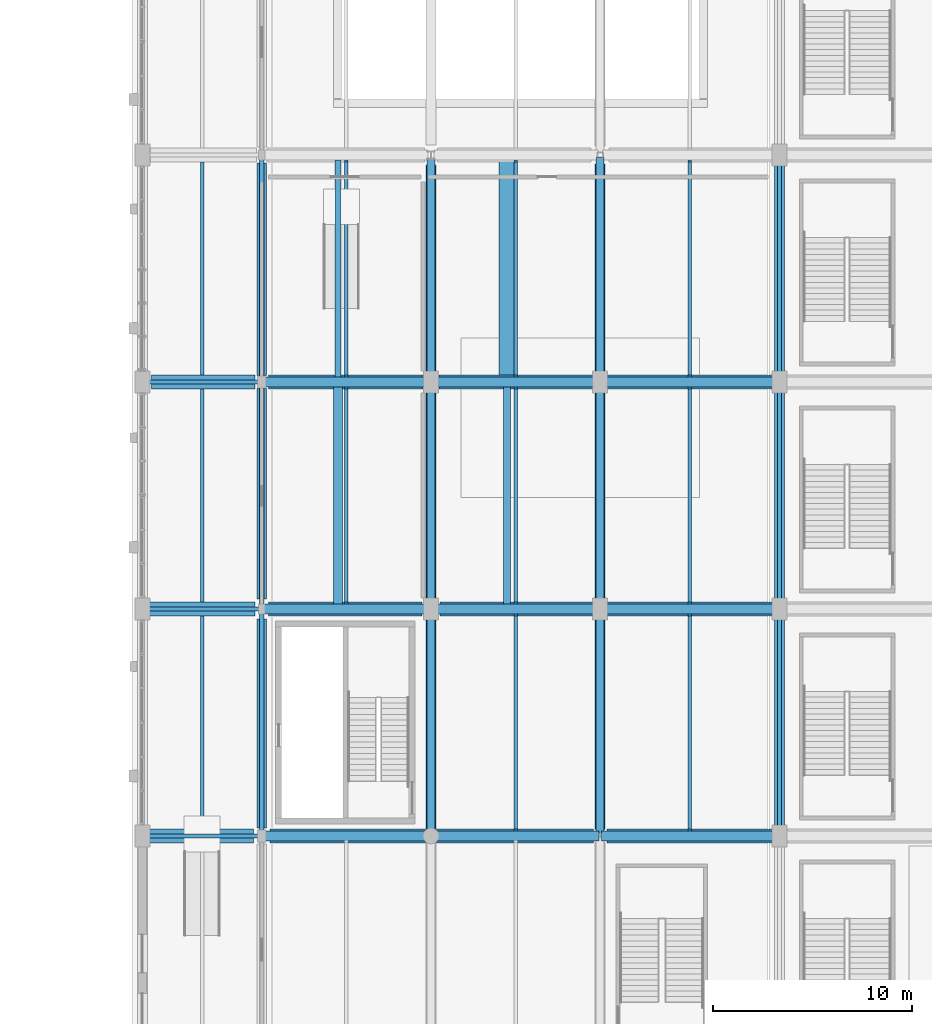
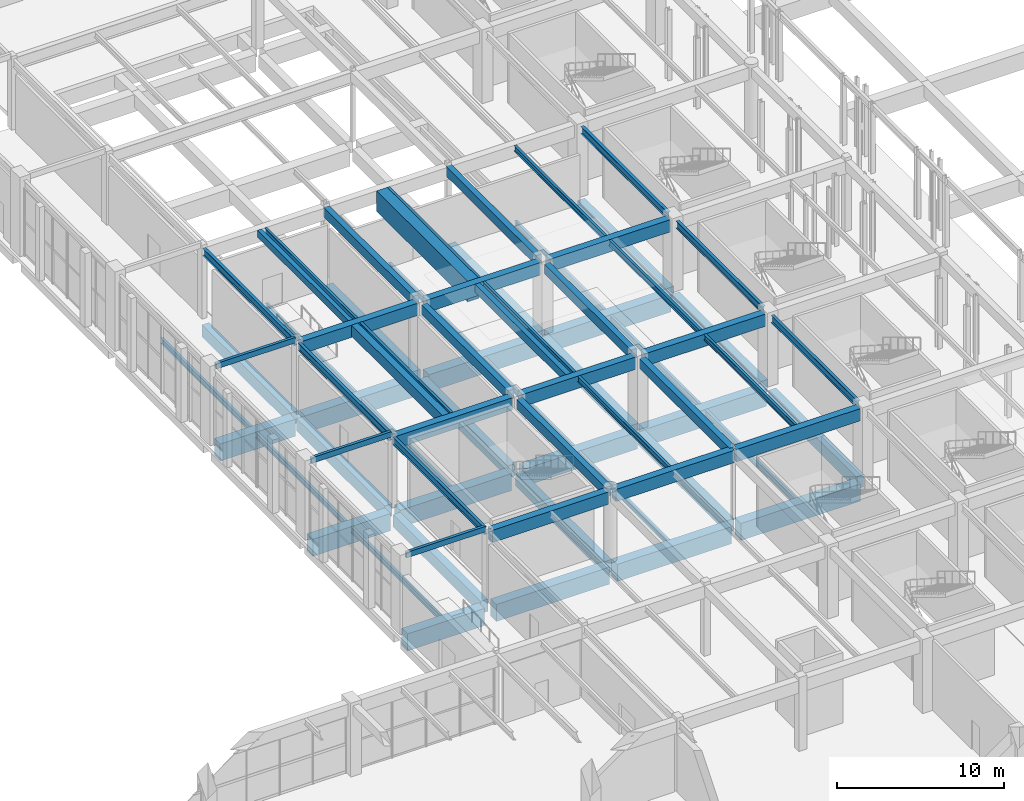
# One storey, part 47 of 113: 71 beams.
"""IFC4 building model written with IfcOpenShell, lengths in metres."""

import ifcopenshell
import ifcopenshell.guid

model = None  # the IFC model being written
_history = None  # IfcOwnerHistory: only IFC2X3 demands one
_inside = {}  # id of a spatial element -> (the spatial element, [elements in it])
_under = {}  # id of a project, library or spatial element -> (it, [spatial elements below it])
_declared = {}  # id of a project -> (the project, [libraries it declares])
_typed = {}  # id of a type object -> (the type object, [elements of that type])
_made_of = {}  # id of a material, layer set ... -> (it, [elements and type objects made of it])


def new_model(schema):
    """Start an empty IFC model of exactly this schema.

    Asked for "IFC4X3", IfcOpenShell would pick the latest addendum, in which some entities
    have other attributes; the version numbers below select the first issue.
    IFC2X3 requires an IfcOwnerHistory on every rooted entity: one is made here for all.
    """
    global model, _history
    if schema == "IFC4X3":
        model = ifcopenshell.file(schema_version=(4, 3, 0, 0))
    else:
        model = ifcopenshell.file(schema=schema)
    _inside.clear()
    _under.clear()
    _declared.clear()
    _typed.clear()
    _made_of.clear()
    _history = None
    if model.schema == "IFC2X3":
        org = make("IfcOrganization", Name="unknown")
        user = make(
            "IfcPersonAndOrganization",
            ThePerson=make("IfcPerson", FamilyName="unknown"),
            TheOrganization=org,
        )
        app = make(
            "IfcApplication",
            ApplicationDeveloper=org,
            Version="unknown",
            ApplicationFullName="unknown",
            ApplicationIdentifier="unknown",
        )
        _history = make(
            "IfcOwnerHistory",
            OwningUser=user,
            OwningApplication=app,
            ChangeAction="ADDED",
            CreationDate=0,
        )
    return model


def make(cls, **values):
    """One entity of the class cls with the attributes given. An attribute that is None is left unset."""
    return model.create_entity(
        cls, **{name: value for name, value in values.items() if value is not None}
    )


def rooted(cls, **values):
    """An entity with a GlobalId (a new one), such as an element, a storey or a relation."""
    return make(cls, GlobalId=ifcopenshell.guid.new(), OwnerHistory=_history, **values)


def si_unit(unit_type, name, prefix=None):
    """IfcSIUnit, for example si_unit("LENGTHUNIT", "METRE", prefix="MILLI")."""
    return make("IfcSIUnit", UnitType=unit_type, Prefix=prefix, Name=name)


def assignment(units):
    """IfcUnitAssignment: the units of a project."""
    return None if units is None else make("IfcUnitAssignment", Units=units)


def point(xyz):
    """IfcCartesianPoint."""
    return None if xyz is None else make("IfcCartesianPoint", Coordinates=xyz)


def direction(xyz):
    """IfcDirection."""
    return None if xyz is None else make("IfcDirection", DirectionRatios=xyz)


def frame(location, z_axis=None, x_axis=None):
    """IfcAxis2Placement3D, a coordinate frame: its origin and axes. An axis left out is left unset."""
    return make(
        "IfcAxis2Placement3D",
        Location=point(location),
        Axis=direction(z_axis),
        RefDirection=direction(x_axis),
    )


def frame_2d(location, x_axis=None):
    """IfcAxis2Placement2D, a coordinate frame in the plane: its origin and x axis."""
    return make(
        "IfcAxis2Placement2D", Location=point(location), RefDirection=direction(x_axis)
    )


def origin():
    """The frame at (0, 0, 0) with its axes left unset."""
    return frame((0.0, 0.0, 0.0))


def origin_2d():
    """The frame at (0, 0) in the plane with its x axis left unset."""
    return frame_2d((0.0, 0.0))


def place(relative_to, where):
    """IfcLocalPlacement: puts the frame where relative to a parent placement (None: the world)."""
    return make(
        "IfcLocalPlacement", PlacementRelTo=relative_to, RelativePlacement=where
    )


def context(
    kind, dimensions, precision=None, world=None, true_north=None, identifier=None
):
    """IfcGeometricRepresentationContext, for example the 3D "Model" context."""
    return make(
        "IfcGeometricRepresentationContext",
        ContextIdentifier=identifier,
        ContextType=kind,
        CoordinateSpaceDimension=dimensions,
        Precision=precision,
        WorldCoordinateSystem=world,
        TrueNorth=true_north,
    )


def subcontext(parent, identifier, kind, view, scale=None):
    """IfcGeometricRepresentationSubContext, for example "Body" below "Model"."""
    return make(
        "IfcGeometricRepresentationSubContext",
        ContextIdentifier=identifier,
        ContextType=kind,
        ParentContext=parent,
        TargetScale=scale,
        TargetView=view,
    )


def project(units=None, contexts=None):
    """IfcProject with its units and contexts."""
    return rooted(
        "IfcProject",
        Name="project",
        RepresentationContexts=contexts,
        UnitsInContext=assignment(units),
    )


def spatial(cls, under=None, at=None, **own):
    """A site, building, storey or space (cls), placed at a placement, below another one or the project."""
    s = rooted(cls, ObjectPlacement=at, **own)
    if under is not None:
        _under.setdefault(under.id(), (under, []))[1].append(s)
    return s


def profile(cls, at=None, kind="AREA", **sizes):
    """A parametric profile (cls). Its sizes go by their IFC names, for example OverallWidth=200.0."""
    return make(cls, ProfileType=kind, Position=at, **sizes)


def rectangle(**sizes):
    """IfcRectangleProfileDef."""
    return profile("IfcRectangleProfileDef", **sizes)


def hollow_rectangle(**sizes):
    """IfcRectangleHollowProfileDef."""
    return profile("IfcRectangleHollowProfileDef", **sizes)


def i_section(**sizes):
    """IfcIShapeProfileDef."""
    return profile("IfcIShapeProfileDef", **sizes)


def extrude(swept, where, along, depth):
    """IfcExtrudedAreaSolid: the profile swept, set in the frame where, extruded along a direction by depth."""
    return make(
        "IfcExtrudedAreaSolid",
        SweptArea=swept,
        Position=where,
        ExtrudedDirection=direction(along),
        Depth=depth,
    )


def shape(context_of_items, identifier, shape_type, items):
    """IfcShapeRepresentation: the items that make up one representation, for example the "Body"."""
    return make(
        "IfcShapeRepresentation",
        ContextOfItems=context_of_items,
        RepresentationIdentifier=identifier,
        RepresentationType=shape_type,
        Items=items,
    )


def material(Name=None, Category=None):
    """IfcMaterial."""
    return make("IfcMaterial", Name=Name, Category=Category)


def material_profile(
    of_material, cross_section, Name=None, Category=None, Priority=None
):
    """IfcMaterialProfile: a cross section and its material."""
    return make(
        "IfcMaterialProfile",
        Name=Name,
        Material=of_material,
        Profile=cross_section,
        Priority=Priority,
        Category=Category,
    )


def profile_set(profiles, Name=None, composite=None):
    """IfcMaterialProfileSet."""
    return make(
        "IfcMaterialProfileSet",
        Name=Name,
        MaterialProfiles=profiles,
        CompositeProfile=composite,
    )


def made_of(thing, what):
    """Note that an element or type object is made of a material, layer set ...; save() writes the relation."""
    if what is not None:
        _made_of.setdefault(what.id(), (what, []))[1].append(thing)
    return thing


def type_object(cls, material=None, **own):
    """A type object (cls), such as IfcWallType, which elements share."""
    return made_of(rooted(cls, **own), material)


def element(
    cls,
    number,
    at=None,
    inside=None,
    cuts=None,
    type_object=None,
    material=None,
    context=None,
    identifier="Body",
    shape_type=None,
    held_by="IfcProductDefinitionShape",
    body=None,
    shapes=None,
    **own,
):
    """One element of the class cls, such as IfcWall. Its Tag is "e" and its number.

    at: its placement. inside: the storey or other place that contains it. cuts: it is an
    opening in that element (IfcRelVoidsElement). A single representation is given by context,
    identifier, shape_type and body (its items); several are given by shapes. held_by: the class
    of the entity that holds the representations. save() writes the other relations.
    """
    e = rooted(cls, Tag="e%d" % number, ObjectPlacement=at, **own)
    if body is not None:
        shapes = [shape(context, identifier, shape_type, body)]
    if shapes is not None:
        e.Representation = make(held_by, Representations=shapes)
    if inside is not None:
        _inside.setdefault(inside.id(), (inside, []))[1].append(e)
    if cuts is not None:
        rooted(
            "IfcRelVoidsElement", RelatingBuildingElement=cuts, RelatedOpeningElement=e
        )
    if type_object is not None:
        _typed.setdefault(type_object.id(), (type_object, []))[1].append(e)
    return made_of(e, material)


def aggregate(whole, parts):
    """IfcRelAggregates: a whole, such as a stair, and the parts it consists of."""
    return rooted("IfcRelAggregates", RelatingObject=whole, RelatedObjects=parts)


def save(model, path):
    """Write the relations noted so far, then the file.

    IfcRelAggregates (storeys below a building ...), IfcRelContainedInSpatialStructure (elements
    in a storey), IfcRelDefinesByType, IfcRelAssociatesMaterial and IfcRelDeclares: one each for
    every whole, place, type object, material and project.
    """
    for whole, parts in _under.values():
        aggregate(whole, parts)
    for where, things in _inside.values():
        rooted(
            "IfcRelContainedInSpatialStructure",
            RelatedElements=things,
            RelatingStructure=where,
        )
    for kind, things in _typed.values():
        rooted("IfcRelDefinesByType", RelatedObjects=things, RelatingType=kind)
    for what, things in _made_of.values():
        rooted("IfcRelAssociatesMaterial", RelatedObjects=things, RelatingMaterial=what)
    for by, libraries in _declared.values():
        rooted("IfcRelDeclares", RelatingContext=by, RelatedDefinitions=libraries)
    model.write(path)


model = new_model("IFC4")

# Units and contexts
model_context = context("Model", 3, precision=1e-05, world=origin(), true_north=direction((0.0, 1.0)))
body_context = subcontext(model_context, "Body", "Model", "MODEL_VIEW")
ifc_project = project(units=[si_unit("LENGTHUNIT", "METRE"), si_unit("AREAUNIT", "SQUARE_METRE"), si_unit("VOLUMEUNIT", "CUBIC_METRE"), si_unit("PLANEANGLEUNIT", "RADIAN"), si_unit("MASSUNIT", "GRAM", prefix="KILO"), si_unit("POWERUNIT", "WATT"), si_unit("THERMODYNAMICTEMPERATUREUNIT", "KELVIN")], contexts=[model_context])

# Site, building, storey
site_placement = place(None, origin())
site = spatial("IfcSite", under=ifc_project, at=site_placement, CompositionType="ELEMENT")
building_placement = place(site_placement, origin())
building = spatial("IfcBuilding", under=site, at=building_placement, Name="Kelmbourne Parkland Aquatics Centre", CompositionType="ELEMENT")
storey_placement = place(building_placement, origin())
storey = spatial("IfcBuildingStorey", under=building, at=storey_placement, Name="L00", CompositionType="ELEMENT", Elevation=0.0)

# Beams
ifc_material_1 = material(Name="Concrete C40/50", Category="concrete")
ifc_material_profile_1 = material_profile(ifc_material_1, rectangle(XDim=0.5, YDim=0.89990234375, at=origin_2d()), Name="RC 500x900")
ifc_profile_set_1 = profile_set([ifc_material_profile_1], Name="Concrete C40/50")
beam_type_1 = type_object("IfcBeamType", Name="BM-G03", PredefinedType="BEAM", material=ifc_profile_set_1)
beam_1_placement = place(storey_placement, frame((102.0, 35.405029296875, -0.72998046875), z_axis=(0.0, 1.0, 0.0), x_axis=(-1.0, 0.0, 0.0)))
element("IfcBeam", 1, at=beam_1_placement, inside=storey, type_object=beam_type_1, Name="Primary girder 05-06 Grid M (L00)", PredefinedType="BEAM", context=body_context, shape_type="SweptSolid", body=[
    extrude(rectangle(XDim=0.5, YDim=0.89990234375, at=origin_2d()), origin(), (0.0, 0.0, 1.0), 10.489990234375),
])
beam_2_placement = place(storey_placement, frame((102.0, 46.905029296875, -0.72998046875), z_axis=(0.0, 1.0, 0.0), x_axis=(-1.0, 0.0, 0.0)))
element("IfcBeam", 2, at=beam_2_placement, inside=storey, type_object=beam_type_1, Name="Primary girder 06-08 Grid M (L00)", PredefinedType="BEAM", context=body_context, shape_type="SweptSolid", body=[
    extrude(rectangle(XDim=0.5, YDim=0.89990234375, at=origin_2d()), origin(), (0.0, 0.0, 1.0), 10.56494140625),
])
for number, where, z_axis, x_axis, name in (
    (3, (102.0, 58.1298828125, -0.72998046875), (0.0, 1.0, 0.0), (-1.0, 0.0, 0.0), "Primary girder 08-10 Grid M (L00)"),
    (4, (110.5, 35.280029296875, -0.72998046875), (0.0, 1.0, 0.0), (-1.0, 0.0, 0.0), "Primary girder 05-06 Grid N (L00)"),
):
    element("IfcBeam", number, at=place(storey_placement, frame(where, z_axis=z_axis, x_axis=x_axis)), inside=storey, type_object=beam_type_1, Name=name, PredefinedType="BEAM", context=body_context, shape_type="SweptSolid", body=[
        extrude(rectangle(XDim=0.5, YDim=0.89990234375, at=origin_2d()), origin(), (0.0, 0.0, 1.0), 10.6650390625),
    ])
beam_3_placement = place(storey_placement, frame((110.5, 46.85498046875, -0.72998046875), z_axis=(0.0, 1.0, 0.0), x_axis=(-1.0, 0.0, 0.0)))
element("IfcBeam", 5, at=beam_3_placement, inside=storey, type_object=beam_type_1, Name="Primary girder 06-08 Grid N (L00)", PredefinedType="BEAM", context=body_context, shape_type="SweptSolid", body=[
    extrude(rectangle(XDim=0.5, YDim=0.89990234375, at=origin_2d()), origin(), (0.0, 0.0, 1.0), 10.5400390625),
])
beam_4_placement = place(storey_placement, frame((110.5, 58.205078125, -0.72998046875), z_axis=(0.0, 1.0, 0.0), x_axis=(-1.0, 0.0, 0.0)))
element("IfcBeam", 6, at=beam_4_placement, inside=storey, type_object=beam_type_1, Name="Primary girder 08-10 Grid N (L00)", PredefinedType="BEAM", context=body_context, shape_type="SweptSolid", body=[
    extrude(rectangle(XDim=0.5, YDim=0.89990234375, at=origin_2d()), origin(), (0.0, 0.0, 1.0), 10.489990234375),
])
beam_5_placement = place(storey_placement, frame((119.0, 35.330078125, -0.72998046875), z_axis=(0.0, 1.0, 0.0), x_axis=(-1.0, 0.0, 0.0)))
element("IfcBeam", 7, at=beam_5_placement, inside=storey, type_object=beam_type_1, Name="Primary girder 05-06 Grid O (L00)", PredefinedType="BEAM", context=body_context, shape_type="SweptSolid", body=[
    extrude(rectangle(XDim=0.5, YDim=0.89990234375, at=origin_2d()), origin(), (0.0, 0.0, 1.0), 10.6650390625),
])
beam_6_placement = place(storey_placement, frame((119.0, 46.804931640625, -0.72998046875), z_axis=(0.0, 1.0, 0.0), x_axis=(-1.0, 0.0, 0.0)))
element("IfcBeam", 8, at=beam_6_placement, inside=storey, type_object=beam_type_1, Name="Primary girder 06-08 Grid O (L00)", PredefinedType="BEAM", context=body_context, shape_type="SweptSolid", body=[
    extrude(rectangle(XDim=0.5, YDim=0.89990234375, at=origin_2d()), origin(), (0.0, 0.0, 1.0), 10.715087890625),
])
beam_7_placement = place(storey_placement, frame((119.0, 58.080078125, -0.72998046875), z_axis=(0.0, 1.0, 0.0), x_axis=(-1.0, 0.0, 0.0)))
element("IfcBeam", 9, at=beam_7_placement, inside=storey, type_object=beam_type_1, Name="Primary girder 08-10 Grid O (L00)", PredefinedType="BEAM", context=body_context, shape_type="SweptSolid", body=[
    extrude(rectangle(XDim=0.5, YDim=0.89990234375, at=origin_2d()), origin(), (0.0, 0.0, 1.0), 10.6650390625),
])
beam_8_placement = place(storey_placement, frame((128.0, 35.405029296875, -0.72998046875), z_axis=(0.0, 1.0, 0.0), x_axis=(-1.0, 0.0, 0.0)))
element("IfcBeam", 10, at=beam_8_placement, inside=storey, type_object=beam_type_1, Name="Primary girder 05-06 Grid P (L00)", PredefinedType="BEAM", context=body_context, shape_type="SweptSolid", body=[
    extrude(rectangle(XDim=0.5, YDim=0.89990234375, at=origin_2d()), origin(), (0.0, 0.0, 1.0), 10.489990234375),
])
beam_9_placement = place(storey_placement, frame((128.0, 46.905029296875, -0.72998046875), z_axis=(0.0, 1.0, 0.0), x_axis=(-1.0, 0.0, 0.0)))
element("IfcBeam", 11, at=beam_9_placement, inside=storey, type_object=beam_type_1, Name="Primary girder 06-08 Grid P (L00)", PredefinedType="BEAM", context=body_context, shape_type="SweptSolid", body=[
    extrude(rectangle(XDim=0.5, YDim=0.89990234375, at=origin_2d()), origin(), (0.0, 0.0, 1.0), 10.56494140625),
])
beam_10_placement = place(storey_placement, frame((128.0, 58.1298828125, -0.72998046875), z_axis=(0.0, 1.0, 0.0), x_axis=(-1.0, 0.0, 0.0)))
element("IfcBeam", 12, at=beam_10_placement, inside=storey, type_object=beam_type_1, Name="Primary girder 08-10 Grid P (L00)", PredefinedType="BEAM", context=body_context, shape_type="SweptSolid", body=[
    extrude(rectangle(XDim=0.5, YDim=0.89990234375, at=origin_2d()), origin(), (0.0, 0.0, 1.0), 10.6650390625),
])
beam_11_placement = place(storey_placement, frame((102.179931640625, 35.0, 4.7099609375), z_axis=(1.0, 0.0, 0.0), x_axis=(0.0, 1.0, 0.0)))
element("IfcBeam", 13, at=beam_11_placement, inside=storey, type_object=beam_type_1, Name="Primary girder M-N Grid 05 (L01)", PredefinedType="BEAM", context=body_context, shape_type="SweptSolid", body=[
    extrude(rectangle(XDim=0.5, YDim=0.89990234375, at=origin_2d()), origin(), (0.0, 0.0, 1.0), 8.0771484375),
])
beam_12_placement = place(storey_placement, frame((110.742919921875, 35.0, 4.7099609375), z_axis=(1.0, 0.0, 0.0), x_axis=(0.0, 1.0, 0.0)))
element("IfcBeam", 14, at=beam_12_placement, inside=storey, type_object=beam_type_1, Name="Primary girder N-O Grid 05 (L01)", PredefinedType="BEAM", context=body_context, shape_type="SweptSolid", body=[
    extrude(rectangle(XDim=0.5, YDim=0.89990234375, at=origin_2d()), origin(), (0.0, 0.0, 1.0), 8.199462890625),
])
beam_13_placement = place(storey_placement, frame((119.0576171875, 35.0, 4.7099609375), z_axis=(1.0, 0.0, 0.0), x_axis=(0.0, 1.0, 0.0)))
element("IfcBeam", 15, at=beam_13_placement, inside=storey, type_object=beam_type_1, Name="Primary girder O-P Grid 05 (L01)", PredefinedType="BEAM", context=body_context, shape_type="SweptSolid", body=[
    extrude(rectangle(XDim=0.5, YDim=0.89990234375, at=origin_2d()), origin(), (0.0, 0.0, 1.0), 8.6123046875),
])
beam_14_placement = place(storey_placement, frame((102.1298828125, 46.39990234375, 4.7099609375), z_axis=(1.0, 0.0, 0.0), x_axis=(0.0, 1.0, 0.0)))
element("IfcBeam", 16, at=beam_14_placement, inside=storey, type_object=beam_type_1, Name="Primary girder M-N Grid 06 (L01)", PredefinedType="BEAM", context=body_context, shape_type="SweptSolid", body=[
    extrude(rectangle(XDim=0.5, YDim=0.89990234375, at=origin_2d()), origin(), (0.0, 0.0, 1.0), 8.0400390625),
])
beam_15_placement = place(storey_placement, frame((110.830078125, 46.39990234375, 4.7099609375), z_axis=(1.0, 0.0, 0.0), x_axis=(0.0, 1.0, 0.0)))
element("IfcBeam", 17, at=beam_15_placement, inside=storey, type_object=beam_type_1, Name="Primary girder N-O Grid 06 (L01)", PredefinedType="BEAM", context=body_context, shape_type="SweptSolid", body=[
    extrude(rectangle(XDim=0.5, YDim=0.89990234375, at=origin_2d()), origin(), (0.0, 0.0, 1.0), 7.83984375),
])
beam_16_placement = place(storey_placement, frame((119.330078125, 46.39990234375, 4.7099609375), z_axis=(1.0, 0.0, 0.0), x_axis=(0.0, 1.0, 0.0)))
element("IfcBeam", 18, at=beam_16_placement, inside=storey, type_object=beam_type_1, Name="Primary girder O-P Grid 06 (L01)", PredefinedType="BEAM", context=body_context, shape_type="SweptSolid", body=[
    extrude(rectangle(XDim=0.5, YDim=0.89990234375, at=origin_2d()), origin(), (0.0, 0.0, 1.0), 8.33984375),
])
beam_17_placement = place(storey_placement, frame((102.179931640625, 57.800048828125, 4.7099609375), z_axis=(1.0, 0.0, 0.0), x_axis=(0.0, 1.0, 0.0)))
element("IfcBeam", 19, at=beam_17_placement, inside=storey, type_object=beam_type_1, Name="Primary girder M-N Grid 08 (L01)", PredefinedType="BEAM", context=body_context, shape_type="SweptSolid", body=[
    extrude(rectangle(XDim=0.5, YDim=0.89990234375, at=origin_2d()), origin(), (0.0, 0.0, 1.0), 7.989990234375),
])
beam_18_placement = place(storey_placement, frame((110.830078125, 57.800048828125, 4.7099609375), z_axis=(1.0, 0.0, 0.0), x_axis=(0.0, 1.0, 0.0)))
element("IfcBeam", 20, at=beam_18_placement, inside=storey, type_object=beam_type_1, Name="Primary girder N-O Grid 08 (L01)", PredefinedType="BEAM", context=body_context, shape_type="SweptSolid", body=[
    extrude(rectangle(XDim=0.5, YDim=0.89990234375, at=origin_2d()), origin(), (0.0, 0.0, 1.0), 7.83984375),
])
beam_19_placement = place(storey_placement, frame((119.330078125, 57.800048828125, 4.7099609375), z_axis=(1.0, 0.0, 0.0), x_axis=(0.0, 1.0, 0.0)))
element("IfcBeam", 21, at=beam_19_placement, inside=storey, type_object=beam_type_1, Name="Primary girder O-P Grid 08 (L01)", PredefinedType="BEAM", context=body_context, shape_type="SweptSolid", body=[
    extrude(rectangle(XDim=0.5, YDim=0.89990234375, at=origin_2d()), origin(), (0.0, 0.0, 1.0), 8.33984375),
])
ifc_material_profile_2 = material_profile(ifc_material_1, rectangle(XDim=0.449951171875, YDim=0.800048828125, at=origin_2d()), Name="RC 450x800")
ifc_profile_set_2 = profile_set([ifc_material_profile_2], Name="Concrete C40/50")
beam_type_2 = type_object("IfcBeamType", Name="BM-G04", PredefinedType="BEAM", material=ifc_profile_set_2)
beam_20_placement = place(storey_placement, frame((105.824951171875, 46.64208984375, 4.760009765625), z_axis=(0.0, 1.0, 0.0), x_axis=(-1.0, 0.0, 0.0)))
element("IfcBeam", 22, at=beam_20_placement, inside=storey, type_object=beam_type_2, Name="Deck secondary trim beam 19", PredefinedType="BEAM", context=body_context, shape_type="SweptSolid", body=[
    extrude(rectangle(XDim=0.449951171875, YDim=0.800048828125, at=origin_2d()), origin(), (0.0, 0.0, 1.0), 10.916015625),
])
ifc_material_profile_3 = material_profile(ifc_material_1, rectangle(XDim=0.39990234375, YDim=0.699951171875, at=origin_2d()), Name="RC 400x700")
ifc_profile_set_3 = profile_set([ifc_material_profile_3], Name="Concrete C40/50")
beam_type_3 = type_object("IfcBeamType", Name="BM-G05", PredefinedType="BEAM", material=ifc_profile_set_3)
beam_21_placement = place(storey_placement, frame((110.5, 35.242919921875, 4.81005859375), z_axis=(0.0, 1.0, 0.0), x_axis=(-1.0, 0.0, 0.0)))
element("IfcBeam", 23, at=beam_21_placement, inside=storey, type_object=beam_type_3, Name="Primary girder 05-06 Grid N (L01)", PredefinedType="BEAM", context=body_context, shape_type="SweptSolid", body=[
    extrude(rectangle(XDim=0.39990234375, YDim=0.699951171875, at=origin_2d()), origin(), (0.0, 0.0, 1.0), 10.652099609375),
])
beam_22_placement = place(storey_placement, frame((110.5, 46.905029296875, 4.81005859375), z_axis=(0.0, 1.0, 0.0), x_axis=(-1.0, 0.0, 0.0)))
element("IfcBeam", 24, at=beam_22_placement, inside=storey, type_object=beam_type_3, Name="Primary girder 06-08 Grid N (L01)", PredefinedType="BEAM", context=body_context, shape_type="SweptSolid", body=[
    extrude(rectangle(XDim=0.39990234375, YDim=0.699951171875, at=origin_2d()), origin(), (0.0, 0.0, 1.0), 10.389892578125),
])
beam_23_placement = place(storey_placement, frame((110.5, 58.304931640625, 4.81005859375), z_axis=(0.0, 1.0, 0.0), x_axis=(-1.0, 0.0, 0.0)))
element("IfcBeam", 25, at=beam_23_placement, inside=storey, type_object=beam_type_3, Name="Primary girder 08-10 Grid N (L01)", PredefinedType="BEAM", context=body_context, shape_type="SweptSolid", body=[
    extrude(rectangle(XDim=0.39990234375, YDim=0.699951171875, at=origin_2d()), origin(), (0.0, 0.0, 1.0), 10.738037109375),
])
beam_24_placement = place(storey_placement, frame((119.0, 35.06005859375, 4.81005859375), z_axis=(0.0, 1.0, 0.0), x_axis=(-1.0, 0.0, 0.0)))
element("IfcBeam", 26, at=beam_24_placement, inside=storey, type_object=beam_type_3, Name="Primary girder 05-06 Grid O (L01)", PredefinedType="BEAM", context=body_context, shape_type="SweptSolid", body=[
    extrude(rectangle(XDim=0.39990234375, YDim=0.699951171875, at=origin_2d()), origin(), (0.0, 0.0, 1.0), 10.8349609375),
])
beam_25_placement = place(storey_placement, frame((119.0, 46.905029296875, 4.81005859375), z_axis=(0.0, 1.0, 0.0), x_axis=(-1.0, 0.0, 0.0)))
element("IfcBeam", 27, at=beam_25_placement, inside=storey, type_object=beam_type_3, Name="Primary girder 06-08 Grid O (L01)", PredefinedType="BEAM", context=body_context, shape_type="SweptSolid", body=[
    extrude(rectangle(XDim=0.39990234375, YDim=0.699951171875, at=origin_2d()), origin(), (0.0, 0.0, 1.0), 10.389892578125),
])
beam_26_placement = place(storey_placement, frame((119.0, 58.304931640625, 4.81005859375), z_axis=(0.0, 1.0, 0.0), x_axis=(-1.0, 0.0, 0.0)))
element("IfcBeam", 28, at=beam_26_placement, inside=storey, type_object=beam_type_3, Name="Primary girder 08-10 Grid O (L01)", PredefinedType="BEAM", context=body_context, shape_type="SweptSolid", body=[
    extrude(rectangle(XDim=0.39990234375, YDim=0.699951171875, at=origin_2d()), origin(), (0.0, 0.0, 1.0), 10.7900390625),
])
ifc_material_profile_4 = material_profile(ifc_material_1, rectangle(XDim=0.35009765625, YDim=0.60009765625, at=origin_2d()), Name="RC 350x600")
ifc_profile_set_4 = profile_set([ifc_material_profile_4], Name="Concrete C40/50")
beam_type_4 = type_object("IfcBeamType", Name="BM-G06", PredefinedType="BEAM", material=ifc_profile_set_4)
beam_27_placement = place(storey_placement, frame((114.324951171875, 46.64208984375, 4.860107421875), z_axis=(0.0, 1.0, 0.0), x_axis=(-1.0, 0.0, 0.0)))
element("IfcBeam", 29, at=beam_27_placement, inside=storey, type_object=beam_type_4, Name="Deck secondary trim beam 20", PredefinedType="BEAM", context=body_context, shape_type="SweptSolid", body=[
    extrude(rectangle(XDim=0.35009765625, YDim=0.60009765625, at=origin_2d()), origin(), (0.0, 0.0, 1.0), 10.916015625),
])
ifc_material_profile_5 = material_profile(ifc_material_1, rectangle(XDim=0.300048828125, YDim=0.5, at=origin_2d()), Name="RC 300x500")
ifc_profile_set_5 = profile_set([ifc_material_profile_5], Name="Concrete C40/50")
beam_type_5 = type_object("IfcBeamType", Name="BM-G07", PredefinedType="BEAM", material=ifc_profile_set_5)
beam_28_placement = place(storey_placement, frame((105.824951171875, 58.0419921875, 4.909912109375), z_axis=(0.0, 1.0, 0.0), x_axis=(-1.0, 0.0, 0.0)))
element("IfcBeam", 30, at=beam_28_placement, inside=storey, type_object=beam_type_5, Name="Deck secondary trim beam 21", PredefinedType="BEAM", context=body_context, shape_type="SweptSolid", body=[
    extrude(rectangle(XDim=0.300048828125, YDim=0.5, at=origin_2d()), origin(), (0.0, 0.0, 1.0), 10.916015625),
])
ifc_material_2 = material(Name="Concrete C50/60", Category="concrete")
ifc_material_profile_6 = material_profile(ifc_material_2, rectangle(XDim=0.699951171875, YDim=1.25, at=origin_2d()), Name="RC 700x1250")
ifc_profile_set_6 = profile_set([ifc_material_profile_6], Name="Concrete C50/60")
beam_type_6 = type_object("IfcBeamType", Name="BM-G08", PredefinedType="BEAM", material=ifc_profile_set_6)
beam_29_placement = place(storey_placement, frame((96.2548828125, 35.0, -0.905029296875), z_axis=(1.0, 0.0, 0.0), x_axis=(0.0, 1.0, 0.0)))
element("IfcBeam", 31, at=beam_29_placement, inside=storey, type_object=beam_type_6, Name="Primary girder L-M Grid 05 (L00)", PredefinedType="BEAM", context=body_context, shape_type="SweptSolid", body=[
    extrude(rectangle(XDim=0.699951171875, YDim=1.25, at=origin_2d()), origin(), (0.0, 0.0, 1.0), 5.340087890625),
])
beam_30_placement = place(storey_placement, frame((102.405029296875, 35.0, -0.905029296875), z_axis=(1.0, 0.0, 0.0), x_axis=(0.0, 1.0, 0.0)))
element("IfcBeam", 32, at=beam_30_placement, inside=storey, type_object=beam_type_6, Name="Primary girder M-N Grid 05 (L00)", PredefinedType="BEAM", context=body_context, shape_type="SweptSolid", body=[
    extrude(rectangle(XDim=0.699951171875, YDim=1.25, at=origin_2d()), origin(), (0.0, 0.0, 1.0), 7.81494140625),
])
beam_31_placement = place(storey_placement, frame((110.780029296875, 35.0, -0.905029296875), z_axis=(1.0, 0.0, 0.0), x_axis=(0.0, 1.0, 0.0)))
element("IfcBeam", 33, at=beam_31_placement, inside=storey, type_object=beam_type_6, Name="Primary girder N-O Grid 05 (L00)", PredefinedType="BEAM", context=body_context, shape_type="SweptSolid", body=[
    extrude(rectangle(XDim=0.699951171875, YDim=1.25, at=origin_2d()), origin(), (0.0, 0.0, 1.0), 7.889892578125),
])
beam_32_placement = place(storey_placement, frame((119.330078125, 35.0, -0.905029296875), z_axis=(1.0, 0.0, 0.0), x_axis=(0.0, 1.0, 0.0)))
element("IfcBeam", 34, at=beam_32_placement, inside=storey, type_object=beam_type_6, Name="Primary girder O-P Grid 05 (L00)", PredefinedType="BEAM", context=body_context, shape_type="SweptSolid", body=[
    extrude(rectangle(XDim=0.699951171875, YDim=1.25, at=origin_2d()), origin(), (0.0, 0.0, 1.0), 8.264892578125),
])
beam_33_placement = place(storey_placement, frame((96.280029296875, 46.39990234375, -0.905029296875), z_axis=(1.0, 0.0, 0.0), x_axis=(0.0, 1.0, 0.0)))
element("IfcBeam", 35, at=beam_33_placement, inside=storey, type_object=beam_type_6, Name="Primary girder L-M Grid 06 (L00)", PredefinedType="BEAM", context=body_context, shape_type="SweptSolid", body=[
    extrude(rectangle(XDim=0.699951171875, YDim=1.25, at=origin_2d()), origin(), (0.0, 0.0, 1.0), 5.389892578125),
])
beam_34_placement = place(storey_placement, frame((102.330078125, 46.39990234375, -0.905029296875), z_axis=(1.0, 0.0, 0.0), x_axis=(0.0, 1.0, 0.0)))
element("IfcBeam", 36, at=beam_34_placement, inside=storey, type_object=beam_type_6, Name="Primary girder M-N Grid 06 (L00)", PredefinedType="BEAM", context=body_context, shape_type="SweptSolid", body=[
    extrude(rectangle(XDim=0.699951171875, YDim=1.25, at=origin_2d()), origin(), (0.0, 0.0, 1.0), 7.71484375),
])
beam_35_placement = place(storey_placement, frame((110.955078125, 46.39990234375, -0.905029296875), z_axis=(1.0, 0.0, 0.0), x_axis=(0.0, 1.0, 0.0)))
element("IfcBeam", 37, at=beam_35_placement, inside=storey, type_object=beam_type_6, Name="Primary girder N-O Grid 06 (L00)", PredefinedType="BEAM", context=body_context, shape_type="SweptSolid", body=[
    extrude(rectangle(XDim=0.699951171875, YDim=1.25, at=origin_2d()), origin(), (0.0, 0.0, 1.0), 7.7900390625),
])
beam_36_placement = place(storey_placement, frame((119.2548828125, 46.39990234375, -0.905029296875), z_axis=(1.0, 0.0, 0.0), x_axis=(0.0, 1.0, 0.0)))
element("IfcBeam", 38, at=beam_36_placement, inside=storey, type_object=beam_type_6, Name="Primary girder O-P Grid 06 (L00)", PredefinedType="BEAM", context=body_context, shape_type="SweptSolid", body=[
    extrude(rectangle(XDim=0.699951171875, YDim=1.25, at=origin_2d()), origin(), (0.0, 0.0, 1.0), 8.4150390625),
])
beam_37_placement = place(storey_placement, frame((96.455078125, 57.800048828125, -0.905029296875), z_axis=(1.0, 0.0, 0.0), x_axis=(0.0, 1.0, 0.0)))
element("IfcBeam", 39, at=beam_37_placement, inside=storey, type_object=beam_type_6, Name="Primary girder L-M Grid 08 (L00)", PredefinedType="BEAM", context=body_context, shape_type="SweptSolid", body=[
    extrude(rectangle(XDim=0.699951171875, YDim=1.25, at=origin_2d()), origin(), (0.0, 0.0, 1.0), 5.21484375),
])
beam_38_placement = place(storey_placement, frame((102.330078125, 57.800048828125, -0.905029296875), z_axis=(1.0, 0.0, 0.0), x_axis=(0.0, 1.0, 0.0)))
element("IfcBeam", 40, at=beam_38_placement, inside=storey, type_object=beam_type_6, Name="Primary girder M-N Grid 08 (L00)", PredefinedType="BEAM", context=body_context, shape_type="SweptSolid", body=[
    extrude(rectangle(XDim=0.699951171875, YDim=1.25, at=origin_2d()), origin(), (0.0, 0.0, 1.0), 7.764892578125),
])
beam_39_placement = place(storey_placement, frame((110.905029296875, 57.800048828125, -0.905029296875), z_axis=(1.0, 0.0, 0.0), x_axis=(0.0, 1.0, 0.0)))
element("IfcBeam", 41, at=beam_39_placement, inside=storey, type_object=beam_type_6, Name="Primary girder N-O Grid 08 (L00)", PredefinedType="BEAM", context=body_context, shape_type="SweptSolid", body=[
    extrude(rectangle(XDim=0.699951171875, YDim=1.25, at=origin_2d()), origin(), (0.0, 0.0, 1.0), 7.81494140625),
])
beam_40_placement = place(storey_placement, frame((119.280029296875, 57.800048828125, -0.905029296875), z_axis=(1.0, 0.0, 0.0), x_axis=(0.0, 1.0, 0.0)))
element("IfcBeam", 42, at=beam_40_placement, inside=storey, type_object=beam_type_6, Name="Primary girder O-P Grid 08 (L00)", PredefinedType="BEAM", context=body_context, shape_type="SweptSolid", body=[
    extrude(rectangle(XDim=0.699951171875, YDim=1.25, at=origin_2d()), origin(), (0.0, 0.0, 1.0), 8.389892578125),
])
ifc_material_profile_7 = material_profile(ifc_material_2, rectangle(XDim=0.800048828125, YDim=1.5, at=origin_2d()), Name="RC 800x1500")
ifc_profile_set_7 = profile_set([ifc_material_profile_7], Name="Concrete C50/60")
beam_type_7 = type_object("IfcBeamType", Name="BM-G09", PredefinedType="BEAM", material=ifc_profile_set_7)
beam_41_placement = place(storey_placement, frame((114.324951171875, 58.0419921875, 4.409912109375), z_axis=(0.0, 1.0, 0.0), x_axis=(-1.0, 0.0, 0.0)))
element("IfcBeam", 43, at=beam_41_placement, inside=storey, type_object=beam_type_7, Name="Deck secondary trim beam 22", PredefinedType="BEAM", context=body_context, shape_type="SweptSolid", body=[
    extrude(rectangle(XDim=0.800048828125, YDim=1.5, at=origin_2d()), origin(), (0.0, 0.0, 1.0), 10.916015625),
])
ifc_material_3 = material(Name="Structural steel AS/NZS 3679.1 Grade 300", Category="steel")
ifc_material_profile_8 = material_profile(ifc_material_3, i_section(OverallWidth=0.177978515625, OverallDepth=0.406005859375, WebThickness=0.0078125, FlangeThickness=0.0126953125, at=origin_2d()), Name="410UB59.7")
ifc_profile_set_8 = profile_set([ifc_material_profile_8], Name="Structural steel AS/NZS 3679.1 Grade 300")
beam_type_8 = type_object("IfcBeamType", Name="BM-J01", PredefinedType="JOIST", material=ifc_profile_set_8)
for number, where, z_axis, x_axis, name in (
    (44, (99.0, 35.342041015625, -0.48291015625), (0.0, 1.0, 0.0), (-1.0, 0.0, 0.0), "Secondary floor joist L-M/05-06 #1 (L00)"),
    (45, (99.0, 46.741943359375, -0.48291015625), (0.0, 1.0, 0.0), (-1.0, 0.0, 0.0), "Secondary floor joist L-M/06-08 #1 (L00)"),
):
    element("IfcBeam", number, at=place(storey_placement, frame(where, z_axis=z_axis, x_axis=x_axis)), inside=storey, type_object=beam_type_8, Name=name, PredefinedType="JOIST", context=body_context, shape_type="SweptSolid", body=[
        extrude(i_section(OverallWidth=0.177978515625, OverallDepth=0.406005859375, WebThickness=0.0078125, FlangeThickness=0.0126953125, at=origin_2d()), origin(), (0.0, 0.0, 1.0), 10.716064453125),
    ])
beam_42_placement = place(storey_placement, frame((99.0, 58.14208984375, -0.48291015625), z_axis=(0.0, 1.0, 0.0), x_axis=(-1.0, 0.0, 0.0)))
element("IfcBeam", 46, at=beam_42_placement, inside=storey, type_object=beam_type_8, Name="Secondary floor joist L-M/08-10 #1 (L00)", PredefinedType="JOIST", context=body_context, shape_type="SweptSolid", body=[
    extrude(i_section(OverallWidth=0.177978515625, OverallDepth=0.406005859375, WebThickness=0.0078125, FlangeThickness=0.0126953125, at=origin_2d()), origin(), (0.0, 0.0, 1.0), 10.7158203125),
])
beam_43_placement = place(storey_placement, frame((106.25, 46.741943359375, -0.48291015625), z_axis=(0.0, 1.0, 0.0), x_axis=(-1.0, 0.0, 0.0)))
element("IfcBeam", 47, at=beam_43_placement, inside=storey, type_object=beam_type_8, Name="Secondary floor joist M-N/06-08 #1 (L00)", PredefinedType="JOIST", context=body_context, shape_type="SweptSolid", body=[
    extrude(i_section(OverallWidth=0.177978515625, OverallDepth=0.406005859375, WebThickness=0.0078125, FlangeThickness=0.0126953125, at=origin_2d()), origin(), (0.0, 0.0, 1.0), 10.716064453125),
])
beam_44_placement = place(storey_placement, frame((106.25, 58.14208984375, -0.48291015625), z_axis=(0.0, 1.0, 0.0), x_axis=(-1.0, 0.0, 0.0)))
element("IfcBeam", 48, at=beam_44_placement, inside=storey, type_object=beam_type_8, Name="Secondary floor joist M-N/08-10 #1 (L00)", PredefinedType="JOIST", context=body_context, shape_type="SweptSolid", body=[
    extrude(i_section(OverallWidth=0.177978515625, OverallDepth=0.406005859375, WebThickness=0.0078125, FlangeThickness=0.0126953125, at=origin_2d()), origin(), (0.0, 0.0, 1.0), 10.7158203125),
])
for number, where, z_axis, x_axis, name in (
    (49, (114.75, 35.342041015625, -0.48291015625), (0.0, 1.0, 0.0), (-1.0, 0.0, 0.0), "Secondary floor joist N-O/05-06 #1 (L00)"),
    (50, (114.75, 46.741943359375, -0.48291015625), (0.0, 1.0, 0.0), (-1.0, 0.0, 0.0), "Secondary floor joist N-O/06-08 #1 (L00)"),
):
    element("IfcBeam", number, at=place(storey_placement, frame(where, z_axis=z_axis, x_axis=x_axis)), inside=storey, type_object=beam_type_8, Name=name, PredefinedType="JOIST", context=body_context, shape_type="SweptSolid", body=[
        extrude(i_section(OverallWidth=0.177978515625, OverallDepth=0.406005859375, WebThickness=0.0078125, FlangeThickness=0.0126953125, at=origin_2d()), origin(), (0.0, 0.0, 1.0), 10.716064453125),
    ])
beam_45_placement = place(storey_placement, frame((114.75, 58.14208984375, -0.48291015625), z_axis=(0.0, 1.0, 0.0), x_axis=(-1.0, 0.0, 0.0)))
element("IfcBeam", 51, at=beam_45_placement, inside=storey, type_object=beam_type_8, Name="Secondary floor joist N-O/08-10 #1 (L00)", PredefinedType="JOIST", context=body_context, shape_type="SweptSolid", body=[
    extrude(i_section(OverallWidth=0.177978515625, OverallDepth=0.406005859375, WebThickness=0.0078125, FlangeThickness=0.0126953125, at=origin_2d()), origin(), (0.0, 0.0, 1.0), 10.7158203125),
])
for number, where, z_axis, x_axis, name in (
    (52, (123.5, 35.342041015625, -0.48291015625), (0.0, 1.0, 0.0), (-1.0, 0.0, 0.0), "Secondary floor joist O-P/05-06 #1 (L00)"),
    (53, (123.5, 46.741943359375, -0.48291015625), (0.0, 1.0, 0.0), (-1.0, 0.0, 0.0), "Secondary floor joist O-P/06-08 #1 (L00)"),
):
    element("IfcBeam", number, at=place(storey_placement, frame(where, z_axis=z_axis, x_axis=x_axis)), inside=storey, type_object=beam_type_8, Name=name, PredefinedType="JOIST", context=body_context, shape_type="SweptSolid", body=[
        extrude(i_section(OverallWidth=0.177978515625, OverallDepth=0.406005859375, WebThickness=0.0078125, FlangeThickness=0.0126953125, at=origin_2d()), origin(), (0.0, 0.0, 1.0), 10.716064453125),
    ])
beam_46_placement = place(storey_placement, frame((123.5, 58.14208984375, -0.48291015625), z_axis=(0.0, 1.0, 0.0), x_axis=(-1.0, 0.0, 0.0)))
element("IfcBeam", 54, at=beam_46_placement, inside=storey, type_object=beam_type_8, Name="Secondary floor joist O-P/08-10 #1 (L00)", PredefinedType="JOIST", context=body_context, shape_type="SweptSolid", body=[
    extrude(i_section(OverallWidth=0.177978515625, OverallDepth=0.406005859375, WebThickness=0.0078125, FlangeThickness=0.0126953125, at=origin_2d()), origin(), (0.0, 0.0, 1.0), 10.7158203125),
])
for number, where, z_axis, x_axis, name in (
    (55, (106.25, 46.64208984375, 4.95703125), (0.0, 1.0, 0.0), (-1.0, 0.0, 0.0), "Secondary floor joist M-N/06-08 #1 (L01)"),
    (56, (106.25, 58.0419921875, 4.95703125), (0.0, 1.0, 0.0), (-1.0, 0.0, 0.0), "Secondary floor joist M-N/08-10 #1 (L01)"),
    (57, (114.75, 35.241943359375, 4.95703125), (0.0, 1.0, 0.0), (-1.0, 0.0, 0.0), "Secondary floor joist N-O/05-06 #1 (L01)"),
    (58, (114.75, 46.64208984375, 4.95703125), (0.0, 1.0, 0.0), (-1.0, 0.0, 0.0), "Secondary floor joist N-O/06-08 #1 (L01)"),
    (59, (114.75, 58.0419921875, 4.95703125), (0.0, 1.0, 0.0), (-1.0, 0.0, 0.0), "Secondary floor joist N-O/08-10 #1 (L01)"),
    (60, (123.5, 35.241943359375, 4.95703125), (0.0, 1.0, 0.0), (-1.0, 0.0, 0.0), "Secondary floor joist O-P/05-06 #1 (L01)"),
    (61, (123.5, 46.64208984375, 4.95703125), (0.0, 1.0, 0.0), (-1.0, 0.0, 0.0), "Secondary floor joist O-P/06-08 #1 (L01)"),
    (62, (123.5, 58.0419921875, 4.95703125), (0.0, 1.0, 0.0), (-1.0, 0.0, 0.0), "Secondary floor joist O-P/08-10 #1 (L01)"),
):
    element("IfcBeam", number, at=place(storey_placement, frame(where, z_axis=z_axis, x_axis=x_axis)), inside=storey, type_object=beam_type_8, Name=name, PredefinedType="JOIST", context=body_context, shape_type="SweptSolid", body=[
        extrude(i_section(OverallWidth=0.177978515625, OverallDepth=0.406005859375, WebThickness=0.0078125, FlangeThickness=0.0126953125, at=origin_2d()), origin(), (0.0, 0.0, 1.0), 10.916015625),
    ])
ifc_material_profile_9 = material_profile(ifc_material_3, i_section(OverallWidth=0.208984375, OverallDepth=0.532958984375, WebThickness=0.01025390625, FlangeThickness=0.015625, at=origin_2d()), Name="530UB92.4")
ifc_profile_set_9 = profile_set([ifc_material_profile_9], Name="Structural steel AS/NZS 3679.1 Grade 300")
beam_type_9 = type_object("IfcBeamType", Name="BM-SP02", PredefinedType="SPANDREL", material=ifc_profile_set_9)
beam_47_placement = place(storey_placement, frame((102.0, 35.2548828125, 4.8935546875), z_axis=(0.0, 1.0, 0.0), x_axis=(-1.0, 0.0, 0.0)))
element("IfcBeam", 63, at=beam_47_placement, inside=storey, type_object=beam_type_9, Name="Perimeter spandrel 05-06 Grid M (L01)", PredefinedType="SPANDREL", context=body_context, shape_type="SweptSolid", body=[
    extrude(i_section(OverallWidth=0.208984375, OverallDepth=0.532958984375, WebThickness=0.01025390625, FlangeThickness=0.015625, at=origin_2d()), origin(), (0.0, 0.0, 1.0), 10.940185546875),
])
beam_48_placement = place(storey_placement, frame((102.0, 46.60498046875, 4.8935546875), z_axis=(0.0, 1.0, 0.0), x_axis=(-1.0, 0.0, 0.0)))
element("IfcBeam", 64, at=beam_48_placement, inside=storey, type_object=beam_type_9, Name="Perimeter spandrel 06-08 Grid M (L01)", PredefinedType="SPANDREL", context=body_context, shape_type="SweptSolid", body=[
    extrude(i_section(OverallWidth=0.208984375, OverallDepth=0.532958984375, WebThickness=0.01025390625, FlangeThickness=0.015625, at=origin_2d()), origin(), (0.0, 0.0, 1.0), 10.93994140625),
])
beam_49_placement = place(storey_placement, frame((102.0, 58.054931640625, 4.8935546875), z_axis=(0.0, 1.0, 0.0), x_axis=(-1.0, 0.0, 0.0)))
element("IfcBeam", 65, at=beam_49_placement, inside=storey, type_object=beam_type_9, Name="Perimeter spandrel 08-10 Grid M (L01)", PredefinedType="SPANDREL", context=body_context, shape_type="SweptSolid", body=[
    extrude(i_section(OverallWidth=0.208984375, OverallDepth=0.532958984375, WebThickness=0.01025390625, FlangeThickness=0.015625, at=origin_2d()), origin(), (0.0, 0.0, 1.0), 10.940185546875),
])
beam_50_placement = place(storey_placement, frame((128.0, 35.5048828125, 4.8935546875), z_axis=(0.0, 1.0, 0.0), x_axis=(-1.0, 0.0, 0.0)))
element("IfcBeam", 66, at=beam_50_placement, inside=storey, type_object=beam_type_9, Name="Perimeter spandrel 05-06 Grid P (L01)", PredefinedType="SPANDREL", context=body_context, shape_type="SweptSolid", body=[
    extrude(i_section(OverallWidth=0.208984375, OverallDepth=0.532958984375, WebThickness=0.01025390625, FlangeThickness=0.015625, at=origin_2d()), origin(), (0.0, 0.0, 1.0), 10.39013671875),
])
beam_51_placement = place(storey_placement, frame((128.0, 46.905029296875, 4.8935546875), z_axis=(0.0, 1.0, 0.0), x_axis=(-1.0, 0.0, 0.0)))
element("IfcBeam", 67, at=beam_51_placement, inside=storey, type_object=beam_type_9, Name="Perimeter spandrel 06-08 Grid P (L01)", PredefinedType="SPANDREL", context=body_context, shape_type="SweptSolid", body=[
    extrude(i_section(OverallWidth=0.208984375, OverallDepth=0.532958984375, WebThickness=0.01025390625, FlangeThickness=0.015625, at=origin_2d()), origin(), (0.0, 0.0, 1.0), 10.389892578125),
])
beam_52_placement = place(storey_placement, frame((128.0, 58.304931640625, 4.8935546875), z_axis=(0.0, 1.0, 0.0), x_axis=(-1.0, 0.0, 0.0)))
element("IfcBeam", 68, at=beam_52_placement, inside=storey, type_object=beam_type_9, Name="Perimeter spandrel 08-10 Grid P (L01)", PredefinedType="SPANDREL", context=body_context, shape_type="SweptSolid", body=[
    extrude(i_section(OverallWidth=0.208984375, OverallDepth=0.532958984375, WebThickness=0.01025390625, FlangeThickness=0.015625, at=origin_2d()), origin(), (0.0, 0.0, 1.0), 10.39013671875),
])
ifc_material_4 = material(Name="Cold-formed hollow steel AS/NZS 1163 C350L0", Category="steel")
ifc_material_profile_10 = material_profile(ifc_material_4, hollow_rectangle(XDim=0.199951171875, YDim=0.39990234375, WallThickness=0.012451171875, at=origin_2d()), Name="RHS 400x200x12.5")
ifc_profile_set_10 = profile_set([ifc_material_profile_10], Name="Cold-formed hollow steel AS/NZS 1163 C350L0")
beam_type_10 = type_object("IfcBeamType", Name="BM-SP03", PredefinedType="SPANDREL", material=ifc_profile_set_10)
beam_53_placement = place(storey_placement, frame((96.330078125, 35.0, 5.300048828125), z_axis=(1.0, 0.0, 0.0), x_axis=(0.0, 1.0, 0.0)))
element("IfcBeam", 69, at=beam_53_placement, inside=storey, type_object=beam_type_10, Name="Colonnade cross spandrel L-M Grid 05", PredefinedType="SPANDREL", context=body_context, shape_type="SweptSolid", body=[
    extrude(hollow_rectangle(XDim=0.199951171875, YDim=0.39990234375, WallThickness=0.012451171875, at=origin_2d()), origin(), (0.0, 0.0, 1.0), 5.489990234375),
])
beam_54_placement = place(storey_placement, frame((96.330078125, 46.39990234375, 5.300048828125), z_axis=(1.0, 0.0, 0.0), x_axis=(0.0, 1.0, 0.0)))
element("IfcBeam", 70, at=beam_54_placement, inside=storey, type_object=beam_type_10, Name="Colonnade cross spandrel L-M Grid 06", PredefinedType="SPANDREL", context=body_context, shape_type="SweptSolid", body=[
    extrude(hollow_rectangle(XDim=0.199951171875, YDim=0.39990234375, WallThickness=0.012451171875, at=origin_2d()), origin(), (0.0, 0.0, 1.0), 5.5400390625),
])
beam_55_placement = place(storey_placement, frame((96.330078125, 57.800048828125, 5.300048828125), z_axis=(1.0, 0.0, 0.0), x_axis=(0.0, 1.0, 0.0)))
element("IfcBeam", 71, at=beam_55_placement, inside=storey, type_object=beam_type_10, Name="Colonnade cross spandrel L-M Grid 08", PredefinedType="SPANDREL", context=body_context, shape_type="SweptSolid", body=[
    extrude(hollow_rectangle(XDim=0.199951171875, YDim=0.39990234375, WallThickness=0.012451171875, at=origin_2d()), origin(), (0.0, 0.0, 1.0), 5.489990234375),
])

save(model, "model.ifc")
